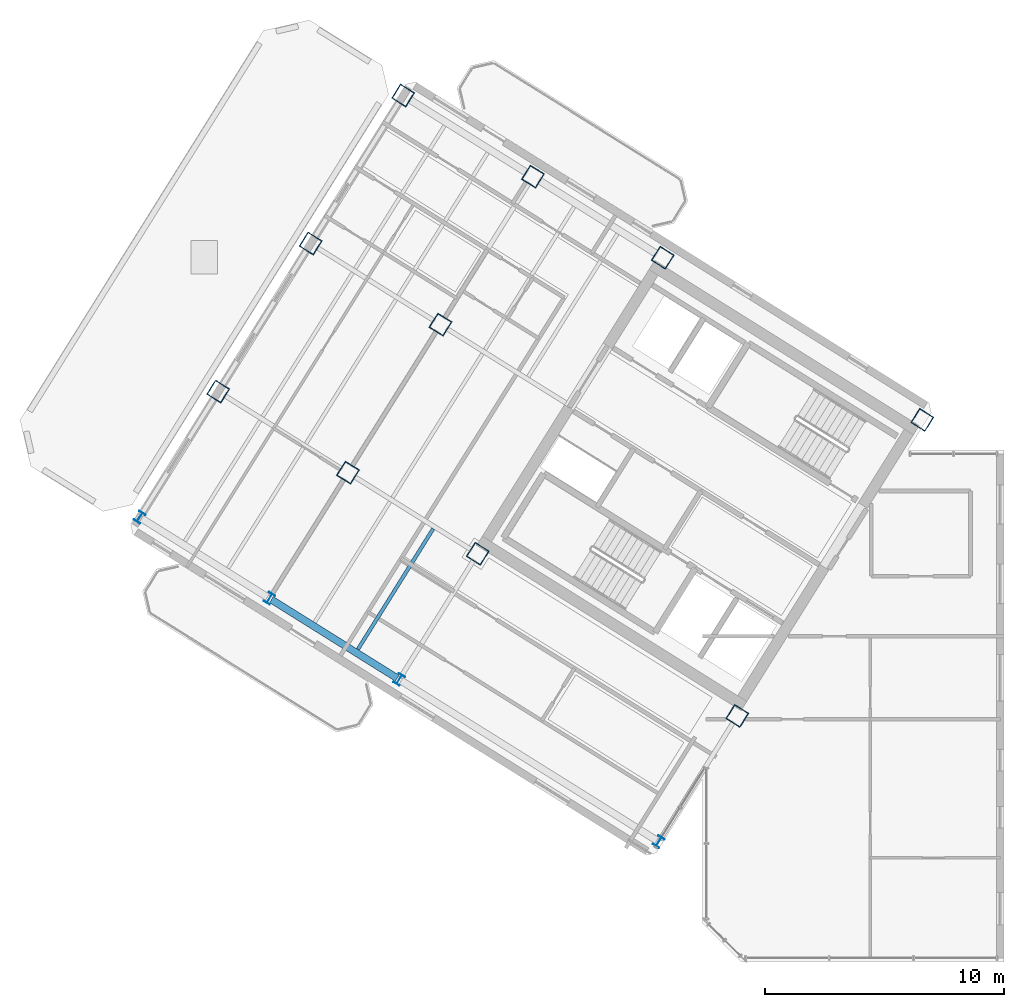
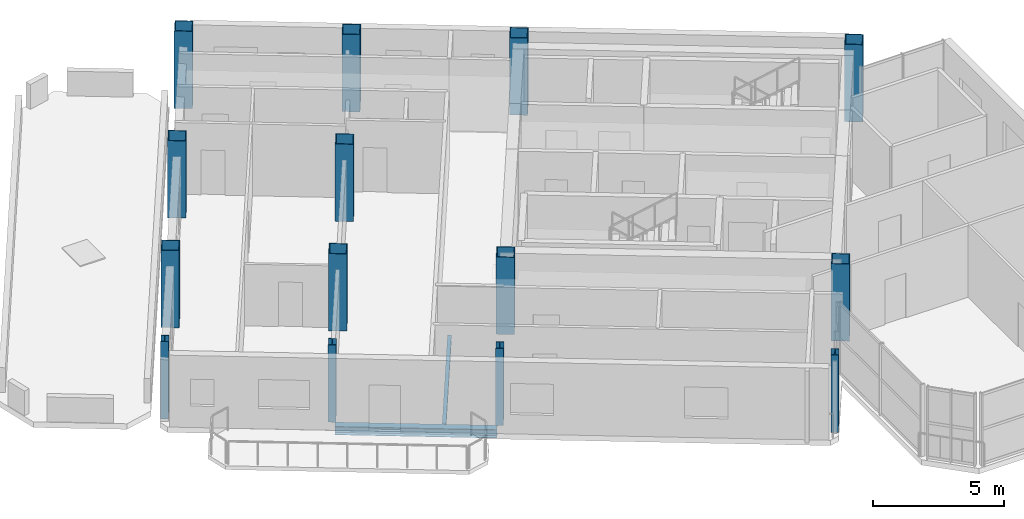
# One storey, part 1 of 12: 14 columns, 2 beams.
"""IFC4 building model written with IfcOpenShell, lengths in metres."""

from ifc_helpers import new_model, si_unit, direction, frame, origin, origin_2d, place, context, subcontext, project, spatial, hollow_rectangle, i_section, extrude, source, transform, mapped, material, material_profile, profile_set, type_object, element, save


model = new_model("IFC4")

# Units and contexts
model_context = context("Model", 3, precision=1e-05, world=origin(), true_north=direction((0.0, 1.0)))
body_context = subcontext(model_context, "Body", "Model", "MODEL_VIEW")
ifc_project = project(units=[si_unit("LENGTHUNIT", "METRE"), si_unit("AREAUNIT", "SQUARE_METRE"), si_unit("VOLUMEUNIT", "CUBIC_METRE"), si_unit("PLANEANGLEUNIT", "RADIAN"), si_unit("MASSUNIT", "GRAM", prefix="KILO")], contexts=[model_context])

# Site, building, storey
site_placement = place(None, origin())
site = spatial("IfcSite", under=ifc_project, at=site_placement, CompositionType="ELEMENT")
building_placement = place(site_placement, origin())
building = spatial("IfcBuilding", under=site, at=building_placement, Name="Tlacorven Tower", CompositionType="ELEMENT")
storey_placement = place(building_placement, frame((0.0, 0.0, 280.800048828125)))
storey = spatial("IfcBuildingStorey", under=building, at=storey_placement, Name="L71", CompositionType="ELEMENT", Elevation=280.800048828125)

# Columns
ifc_material_1 = material(Name="Steel S355J2", Category="steel")
ifc_material_profile_1 = material_profile(ifc_material_1, i_section(OverallWidth=0.300048828125, OverallDepth=0.449951171875, WebThickness=0.013916015625, FlangeThickness=0.02587890625, at=origin_2d()), Name="HEB 450")
ifc_profile_set_1 = profile_set([ifc_material_profile_1], Name="Steel S355J2")
column_type_1 = type_object("IfcColumnType", Name="COL-TWR-P3", PredefinedType="COLUMN", material=ifc_profile_set_1)
shared_shape_1 = source(origin(), body_context, "Body", "SweptSolid", [
    extrude(i_section(OverallWidth=0.300048828125, OverallDepth=0.449951171875, WebThickness=0.013916015625, FlangeThickness=0.02587890625, at=origin_2d()), origin(), (0.0, 0.0, 1.0), 3.599853515625),
])
for number, where, z_axis, x_axis, name in (
    (1, (29.7607421875, 6.8291015625, 0.0), (0.0, 0.0, 1.0), (-0.848048096156, 0.529919264233, 0.0), "L71 column COL-L71-W1-4"),
    (2, (18.905517578125, 13.612060546875, 0.0), (0.0, 0.0, 1.0), (-0.848048096156, 0.529919264233, 0.0), "L71 column COL-L71-W3-4"),
    (3, (13.47802734375, 17.00341796875, 0.0), (0.0, 0.0, 1.0), (-0.848048096156, 0.529919264233, 0.0), "L71 column COL-L71-W4-4"),
    (4, (8.050537109375, 20.39501953125, 0.0), (0.0, 0.0, 1.0), (-0.848048096156, 0.529919264233, 0.0), "L71 column COL-L71-W5-4"),
):
    element("IfcColumn", number, at=place(storey_placement, frame(where, z_axis=z_axis, x_axis=x_axis)), inside=storey, type_object=column_type_1, Name=name, PredefinedType="COLUMN", context=body_context, shape_type="MappedRepresentation", body=[
        mapped(shared_shape_1, transform((0.0, 0.0, 0.0), scale=1.0)),
    ])
ifc_material_2 = material(Name="Steel S460M", Category="steel")
ifc_material_profile_2 = material_profile(ifc_material_2, hollow_rectangle(XDim=0.699951171875, YDim=0.699951171875, WallThickness=0.028076171875, at=origin_2d()), Name="BOX 700X700X28")
ifc_profile_set_2 = profile_set([ifc_material_profile_2], Name="Steel S460M")
column_type_2 = type_object("IfcColumnType", Name="COL-TWR-S4", PredefinedType="COLUMN", material=ifc_profile_set_2)
shared_shape_2 = source(origin(), body_context, "Body", "SweptSolid", [
    extrude(hollow_rectangle(XDim=0.699951171875, YDim=0.699951171875, WallThickness=0.028076171875, at=origin_2d()), origin(), (0.0, 0.0, 1.0), 3.599853515625),
])
for number, where, z_axis, x_axis, name in (
    (5, (40.782958984375, 24.468505859375, 0.0), (0.0, 0.0, 1.0), (-0.848048096156, 0.529919264233, 0.0), "L71 column COL-L71-W1-1"),
    (6, (33.046142578125, 12.0869140625, 0.0), (0.0, 0.0, 1.0), (-0.848048096156, 0.529919264233, 0.0), "L71 column COL-L71-W1-3"),
    (7, (29.927978515625, 31.25146484375, 0.0), (0.0, 0.0, 1.0), (-0.848048096156, 0.529919264233, 0.0), "L71 column COL-L71-W3-1"),
    (8, (22.191162109375, 18.869873046875, 0.0), (0.0, 0.0, 1.0), (-0.848048096156, 0.529919264233, 0.0), "L71 column COL-L71-W3-3"),
    (9, (24.50048828125, 34.642822265625, 0.0), (0.0, 0.0, 1.0), (-0.848048096156, 0.529919264233, 0.0), "L71 column COL-L71-W4-1"),
    (10, (20.632080078125, 28.4521484375, 0.0), (0.0, 0.0, 1.0), (-0.848048096156, 0.529919264233, 0.0), "L71 column COL-L71-W4-2"),
    (11, (16.763671875, 22.26123046875, 0.0), (0.0, 0.0, 1.0), (-0.848048096156, 0.529919264233, 0.0), "L71 column COL-L71-W4-3"),
    (12, (19.072998046875, 38.034423828125, 0.0), (0.0, 0.0, 1.0), (-0.848048096156, 0.529919264233, 0.0), "L71 column COL-L71-W5-1"),
    (13, (15.20458984375, 31.843505859375, 0.0), (0.0, 0.0, 1.0), (-0.848048096156, 0.529919264233, 0.0), "L71 column COL-L71-W5-2"),
    (14, (11.336181640625, 25.65283203125, 0.0), (0.0, 0.0, 1.0), (-0.848048096156, 0.529919264233, 0.0), "L71 column COL-L71-W5-3"),
):
    element("IfcColumn", number, at=place(storey_placement, frame(where, z_axis=z_axis, x_axis=x_axis)), inside=storey, type_object=column_type_2, Name=name, PredefinedType="COLUMN", context=body_context, shape_type="MappedRepresentation", body=[
        mapped(shared_shape_2, transform((0.0, 0.0, 0.0), scale=1.0)),
    ])

# Beams
ifc_material_profile_3 = material_profile(ifc_material_1, i_section(OverallWidth=0.300048828125, OverallDepth=0.389892578125, WebThickness=0.010986328125, FlangeThickness=0.01904296875, at=origin_2d()), Name="HEA 400")
ifc_profile_set_3 = profile_set([ifc_material_profile_3], Name="Steel S355J2")
beam_type_1 = type_object("IfcBeamType", Name="BM-SPN-400", PredefinedType="SPANDREL", material=ifc_profile_set_3)
shared_shape_3 = source(origin(), body_context, "Body", "SweptSolid", [
    extrude(i_section(OverallWidth=0.300048828125, OverallDepth=0.389892578125, WebThickness=0.010986328125, FlangeThickness=0.01904296875, at=origin_2d()), origin(), (0.0, 0.0, 1.0), 6.199951171875),
])
beam_1_placement = place(storey_placement, frame((18.82080078125, 13.6650390625, -0.445068359375), z_axis=(-0.848051394107, 0.529913986372, 0.0), x_axis=(-0.529913986372, -0.848051394107, 0.0)))
element("IfcBeam", 15, at=beam_1_placement, inside=storey, type_object=beam_type_1, Name="L71 beam BM-L71-WL4-3", PredefinedType="SPANDREL", context=body_context, shape_type="MappedRepresentation", body=[
    mapped(shared_shape_3, transform((0.0, 0.0, 0.0), scale=1.0)),
])
ifc_material_profile_4 = material_profile(ifc_material_1, i_section(OverallWidth=0.14990234375, OverallDepth=0.300048828125, WebThickness=0.007080078125, FlangeThickness=0.0107421875, at=origin_2d()), Name="IPE 300")
ifc_profile_set_4 = profile_set([ifc_material_profile_4], Name="Steel S355J2")
beam_type_2 = type_object("IfcBeamType", Name="BM-JST-300", PredefinedType="JOIST", material=ifc_profile_set_4)
shared_shape_4 = source(origin(), body_context, "Body", "SweptSolid", [
    extrude(i_section(OverallWidth=0.14990234375, OverallDepth=0.300048828125, WebThickness=0.007080078125, FlangeThickness=0.0107421875, at=origin_2d()), origin(), (0.0, 0.0, 1.0), 5.945068359375),
])
beam_2_placement = place(storey_placement, frame((20.3291015625, 19.91552734375, -0.400146484375), z_axis=(-0.529914037113, -0.848051362401, 0.0), x_axis=(0.848051362401, -0.529914037113, 0.0)))
element("IfcBeam", 16, at=beam_2_placement, inside=storey, type_object=beam_type_2, Name="L71 beam BM-L71-WJ3-3-1", PredefinedType="JOIST", context=body_context, shape_type="MappedRepresentation", body=[
    mapped(shared_shape_4, transform((0.0, 0.0, 0.0), scale=1.0)),
])

save(model, "model.ifc")
